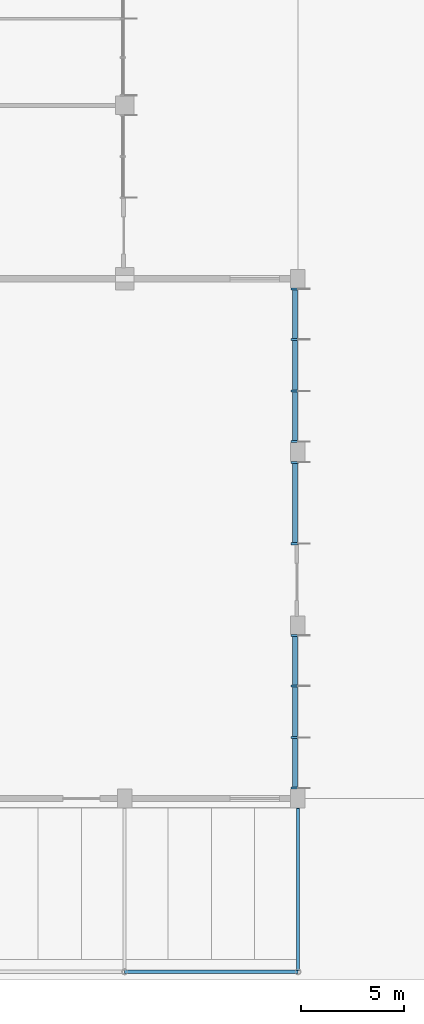
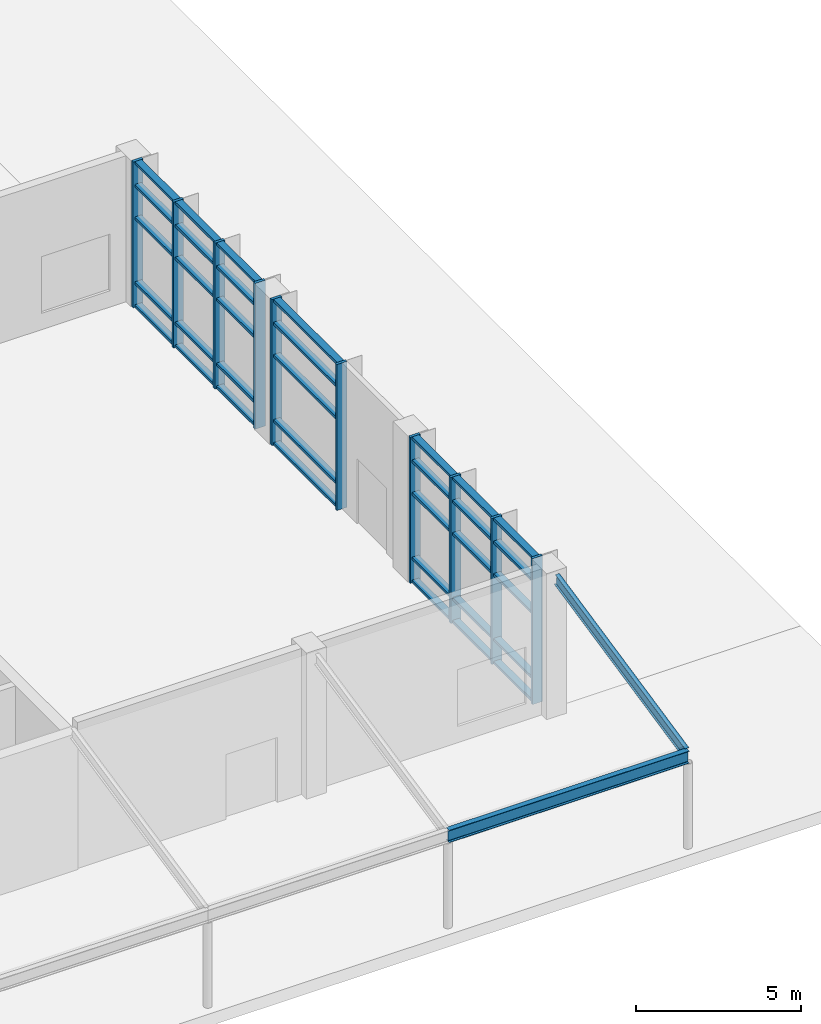
# One storey, part 24 of 76: 45 members, 2 beams, 3 elements without a shape of their own.
"""IFC4 building model written with IfcOpenShell, lengths in metres."""

from ifc_helpers import new_model, si_unit, direction, frame, origin, origin_2d, place, context, subcontext, project, spatial, rectangle, i_section, extrude, material, material_profile, profile_set, type_object, element, aggregate, save


model = new_model("IFC4")

# Units and contexts
model_context = context("Model", 3, precision=1e-05, world=origin(), true_north=direction((0.0, 1.0)))
body_context = subcontext(model_context, "Body", "Model", "MODEL_VIEW")
ifc_project = project(units=[si_unit("LENGTHUNIT", "METRE"), si_unit("AREAUNIT", "SQUARE_METRE"), si_unit("VOLUMEUNIT", "CUBIC_METRE"), si_unit("PLANEANGLEUNIT", "RADIAN"), si_unit("MASSUNIT", "GRAM", prefix="KILO")], contexts=[model_context])

# Site, building, storey
site_placement = place(None, origin())
site = spatial("IfcSite", under=ifc_project, at=site_placement, CompositionType="ELEMENT")
building_placement = place(site_placement, origin())
building = spatial("IfcBuilding", under=site, at=building_placement, Name="Hlaing Beacon Police Headquarters", CompositionType="ELEMENT")
storey_placement = place(building_placement, origin())
storey = spatial("IfcBuildingStorey", under=building, at=storey_placement, Name="L00", CompositionType="ELEMENT", Elevation=0.0)

# Beams
ifc_material_1 = material(Name="Steel ASTM A992 Grade 50", Category="steel")
ifc_material_profile_1 = material_profile(ifc_material_1, i_section(OverallWidth=0.1904296875, OverallDepth=0.457275390625, WebThickness=0.009033203125, FlangeThickness=0.014404296875, FilletRadius=0.01025390625, at=origin_2d()), Name="W18x50")
ifc_profile_set_1 = profile_set([ifc_material_profile_1], Name="Steel ASTM A992 Grade 50")
beam_type_1 = type_object("IfcBeamType", Name="Colonnade head beam W18x50", PredefinedType="BEAM", material=ifc_profile_set_1)
beam_1_placement = place(storey_placement, frame((126.0, 0.0, 3.371337890625), z_axis=(1.0, 0.0, 0.0), x_axis=(0.0, 1.0, 0.0)))
element("IfcBeam", 1, at=beam_1_placement, inside=storey, type_object=beam_type_1, Name="STR-CL-CL2-HB05", PredefinedType="BEAM", context=body_context, shape_type="SweptSolid", body=[
    extrude(i_section(OverallWidth=0.1904296875, OverallDepth=0.457275390625, WebThickness=0.009033203125, FlangeThickness=0.014404296875, FilletRadius=0.01025390625, at=origin_2d()), origin(), (0.0, 0.0, 1.0), 8.39990234375),
])
ifc_material_2 = material(Name="Steel ASTM A992 Grade 50", Category="steel")
ifc_material_profile_2 = material_profile(ifc_material_2, i_section(OverallWidth=0.140380859375, OverallDepth=0.40380859375, WebThickness=0.007080078125, FlangeThickness=0.01123046875, FilletRadius=0.01025390625, at=origin_2d()), Name="W16x31")
ifc_profile_set_2 = profile_set([ifc_material_profile_2], Name="Steel ASTM A992 Grade 50")
beam_type_2 = type_object("IfcBeamType", Name="Colonnade rafter W16x31", PredefinedType="BEAM", material=ifc_profile_set_2)
beam_2_placement = place(storey_placement, frame((134.39990234375, 0.09521484375, 3.413818359375), z_axis=(0.0, 0.977797521462, 0.209551919637), x_axis=(-1.0, 0.0, 0.0)))
element("IfcBeam", 2, at=beam_2_placement, inside=storey, type_object=beam_type_2, Name="STR-CL-CL2-RF06", PredefinedType="BEAM", context=body_context, shape_type="SweptSolid", body=[
    extrude(i_section(OverallWidth=0.140380859375, OverallDepth=0.40380859375, WebThickness=0.007080078125, FlangeThickness=0.01123046875, FilletRadius=0.01025390625, at=origin_2d()), origin(), (0.0, 0.0, 1.0), 8.033203125),
])

# Curtain wall, members
ifc_material_3 = material(Name="Aluminium frame with solar control glazing", Category="aluminium")
curtain_wall_type_1 = type_object("IfcCurtainWallType", Name="Structural glazed gable wall 7.50 x 5.40", PredefinedType="NOTDEFINED", material=ifc_material_3)
curtain_wall_1_placement = place(storey_placement, origin())
curtain_wall_1 = element("IfcCurtainWall", 3, at=curtain_wall_1_placement, inside=storey, type_object=curtain_wall_type_1, Name="ENV-CW-L00-E009", PredefinedType="NOTDEFINED")
ifc_material_4 = material(Name="Aluminium", Category="aluminium")
ifc_material_profile_3 = material_profile(ifc_material_4, rectangle(XDim=0.35009765625, YDim=0.10009765625, at=origin_2d()), Name="Mullion 100x350")
ifc_profile_set_3 = profile_set([ifc_material_profile_3], Name="Aluminium")
member_type_1 = type_object("IfcMemberType", Name="Mullion 100x350", PredefinedType="MULLION", material=ifc_profile_set_3)
member_1_placement = place(storey_placement, frame((134.25, 8.89990234375, 0.0), z_axis=(0.0, 0.0, 1.0), x_axis=(-1.0, 0.0, 0.0)))
member_1 = element("IfcMember", 4, at=member_1_placement, type_object=member_type_1, Name="CW-L00-E009 mullion 1", PredefinedType="MULLION", context=body_context, shape_type="SweptSolid", body=[
    extrude(rectangle(XDim=0.35009765625, YDim=0.10009765625, at=origin_2d()), origin(), (0.0, 0.0, 1.0), 5.39990234375),
])
member_2_placement = place(storey_placement, frame((134.25, 11.35009765625, 0.0), z_axis=(0.0, 0.0, 1.0), x_axis=(-1.0, 0.0, 0.0)))
member_2 = element("IfcMember", 5, at=member_2_placement, type_object=member_type_1, Name="CW-L00-E009 mullion 2", PredefinedType="MULLION", context=body_context, shape_type="SweptSolid", body=[
    extrude(rectangle(XDim=0.35009765625, YDim=0.10009765625, at=origin_2d()), origin(), (0.0, 0.0, 1.0), 5.39990234375),
])
member_3_placement = place(storey_placement, frame((134.25, 13.85009765625, 0.0), z_axis=(0.0, 0.0, 1.0), x_axis=(-1.0, 0.0, 0.0)))
member_3 = element("IfcMember", 6, at=member_3_placement, type_object=member_type_1, Name="CW-L00-E009 mullion 3", PredefinedType="MULLION", context=body_context, shape_type="SweptSolid", body=[
    extrude(rectangle(XDim=0.35009765625, YDim=0.10009765625, at=origin_2d()), origin(), (0.0, 0.0, 1.0), 5.39990234375),
])
member_4_placement = place(storey_placement, frame((134.25, 16.300048828125, 0.0), z_axis=(0.0, 0.0, 1.0), x_axis=(-1.0, 0.0, 0.0)))
member_4 = element("IfcMember", 7, at=member_4_placement, type_object=member_type_1, Name="CW-L00-E009 mullion 4", PredefinedType="MULLION", context=body_context, shape_type="SweptSolid", body=[
    extrude(rectangle(XDim=0.35009765625, YDim=0.10009765625, at=origin_2d()), origin(), (0.0, 0.0, 1.0), 5.39990234375),
])

ifc_material_5 = material(Name="Aluminium frame with solar control glazing", Category="aluminium")
curtain_wall_type_2 = type_object("IfcCurtainWallType", Name="Structural glazed gable wall 4.05 x 5.40", PredefinedType="NOTDEFINED", material=ifc_material_5)
curtain_wall_2_placement = place(storey_placement, origin())
curtain_wall_2 = element("IfcCurtainWall", 8, at=curtain_wall_2_placement, inside=storey, type_object=curtain_wall_type_2, Name="ENV-CW-L00-E010", PredefinedType="NOTDEFINED")
member_5_placement = place(storey_placement, frame((134.25, 20.75, 0.0), z_axis=(0.0, 0.0, 1.0), x_axis=(-1.0, 0.0, 0.0)))
member_5 = element("IfcMember", 9, at=member_5_placement, type_object=member_type_1, Name="CW-L00-E010 mullion 1", PredefinedType="MULLION", context=body_context, shape_type="SweptSolid", body=[
    extrude(rectangle(XDim=0.35009765625, YDim=0.10009765625, at=origin_2d()), origin(), (0.0, 0.0, 1.0), 5.39990234375),
])
member_6_placement = place(storey_placement, frame((134.25, 24.699951171875, 0.0), z_axis=(0.0, 0.0, 1.0), x_axis=(-1.0, 0.0, 0.0)))
member_6 = element("IfcMember", 10, at=member_6_placement, type_object=member_type_1, Name="CW-L00-E010 mullion 2", PredefinedType="MULLION", context=body_context, shape_type="SweptSolid", body=[
    extrude(rectangle(XDim=0.35009765625, YDim=0.10009765625, at=origin_2d()), origin(), (0.0, 0.0, 1.0), 5.39990234375),
])

curtain_wall_3_placement = place(storey_placement, origin())
curtain_wall_3 = element("IfcCurtainWall", 11, at=curtain_wall_3_placement, inside=storey, type_object=curtain_wall_type_1, Name="ENV-CW-L00-E011", PredefinedType="NOTDEFINED")
member_7_placement = place(storey_placement, frame((134.25, 25.699951171875, 0.0), z_axis=(0.0, 0.0, 1.0), x_axis=(-1.0, 0.0, 0.0)))
member_7 = element("IfcMember", 12, at=member_7_placement, type_object=member_type_1, Name="CW-L00-E011 mullion 1", PredefinedType="MULLION", context=body_context, shape_type="SweptSolid", body=[
    extrude(rectangle(XDim=0.35009765625, YDim=0.10009765625, at=origin_2d()), origin(), (0.0, 0.0, 1.0), 5.39990234375),
])
member_8_placement = place(storey_placement, frame((134.25, 28.14990234375, 0.0), z_axis=(0.0, 0.0, 1.0), x_axis=(-1.0, 0.0, 0.0)))
member_8 = element("IfcMember", 13, at=member_8_placement, type_object=member_type_1, Name="CW-L00-E011 mullion 2", PredefinedType="MULLION", context=body_context, shape_type="SweptSolid", body=[
    extrude(rectangle(XDim=0.35009765625, YDim=0.10009765625, at=origin_2d()), origin(), (0.0, 0.0, 1.0), 5.39990234375),
])
member_9_placement = place(storey_placement, frame((134.25, 30.64990234375, 0.0), z_axis=(0.0, 0.0, 1.0), x_axis=(-1.0, 0.0, 0.0)))
member_9 = element("IfcMember", 14, at=member_9_placement, type_object=member_type_1, Name="CW-L00-E011 mullion 3", PredefinedType="MULLION", context=body_context, shape_type="SweptSolid", body=[
    extrude(rectangle(XDim=0.35009765625, YDim=0.10009765625, at=origin_2d()), origin(), (0.0, 0.0, 1.0), 5.39990234375),
])
member_10_placement = place(storey_placement, frame((134.25, 33.10009765625, 0.0), z_axis=(0.0, 0.0, 1.0), x_axis=(-1.0, 0.0, 0.0)))
member_10 = element("IfcMember", 15, at=member_10_placement, type_object=member_type_1, Name="CW-L00-E011 mullion 4", PredefinedType="MULLION", context=body_context, shape_type="SweptSolid", body=[
    extrude(rectangle(XDim=0.35009765625, YDim=0.10009765625, at=origin_2d()), origin(), (0.0, 0.0, 1.0), 5.39990234375),
])

# Member
ifc_material_6 = material(Name="Aluminium", Category="aluminium")
ifc_material_profile_4 = material_profile(ifc_material_6, rectangle(XDim=0.239990234375, YDim=0.10009765625, at=origin_2d()), Name="Transom 240x100")
ifc_profile_set_4 = profile_set([ifc_material_profile_4], Name="Aluminium")
member_type_2 = type_object("IfcMemberType", Name="Transom 240x100", PredefinedType="USERDEFINED", material=ifc_profile_set_4)
member_11_placement = place(storey_placement, frame((134.25, 8.949951171875, 0.050048828125), z_axis=(0.0, 1.0, 0.0), x_axis=(-1.0, 0.0, 0.0)))
member_11 = element("IfcMember", 16, at=member_11_placement, type_object=member_type_2, Name="CW-L00-E009 transom 1.1", ObjectType="TRANSOM", PredefinedType="USERDEFINED", context=body_context, shape_type="SweptSolid", body=[
    extrude(rectangle(XDim=0.239990234375, YDim=0.10009765625, at=origin_2d()), origin(), (0.0, 0.0, 1.0), 2.35009765625),
])

member_12_placement = place(storey_placement, frame((134.25, 8.949951171875, 0.89990234375), z_axis=(0.0, 1.0, 0.0), x_axis=(-1.0, 0.0, 0.0)))
member_12 = element("IfcMember", 17, at=member_12_placement, type_object=member_type_2, Name="CW-L00-E009 transom 1.2", ObjectType="TRANSOM", PredefinedType="USERDEFINED", context=body_context, shape_type="SweptSolid", body=[
    extrude(rectangle(XDim=0.239990234375, YDim=0.10009765625, at=origin_2d()), origin(), (0.0, 0.0, 1.0), 2.35009765625),
])

member_13_placement = place(storey_placement, frame((134.25, 8.949951171875, 3.300048828125), z_axis=(0.0, 1.0, 0.0), x_axis=(-1.0, 0.0, 0.0)))
member_13 = element("IfcMember", 18, at=member_13_placement, type_object=member_type_2, Name="CW-L00-E009 transom 1.3", ObjectType="TRANSOM", PredefinedType="USERDEFINED", context=body_context, shape_type="SweptSolid", body=[
    extrude(rectangle(XDim=0.239990234375, YDim=0.10009765625, at=origin_2d()), origin(), (0.0, 0.0, 1.0), 2.35009765625),
])

member_14_placement = place(storey_placement, frame((134.25, 8.949951171875, 4.5), z_axis=(0.0, 1.0, 0.0), x_axis=(-1.0, 0.0, 0.0)))
member_14 = element("IfcMember", 19, at=member_14_placement, type_object=member_type_2, Name="CW-L00-E009 transom 1.4", ObjectType="TRANSOM", PredefinedType="USERDEFINED", context=body_context, shape_type="SweptSolid", body=[
    extrude(rectangle(XDim=0.239990234375, YDim=0.10009765625, at=origin_2d()), origin(), (0.0, 0.0, 1.0), 2.35009765625),
])

member_15_placement = place(storey_placement, frame((134.25, 8.949951171875, 5.35009765625), z_axis=(0.0, 1.0, 0.0), x_axis=(-1.0, 0.0, 0.0)))
member_15 = element("IfcMember", 20, at=member_15_placement, type_object=member_type_2, Name="CW-L00-E009 transom 1.5", ObjectType="TRANSOM", PredefinedType="USERDEFINED", context=body_context, shape_type="SweptSolid", body=[
    extrude(rectangle(XDim=0.239990234375, YDim=0.10009765625, at=origin_2d()), origin(), (0.0, 0.0, 1.0), 2.35009765625),
])

member_16_placement = place(storey_placement, frame((134.25, 11.39990234375, 0.050048828125), z_axis=(0.0, 1.0, 0.0), x_axis=(-1.0, 0.0, 0.0)))
member_16 = element("IfcMember", 21, at=member_16_placement, type_object=member_type_2, Name="CW-L00-E009 transom 2.1", ObjectType="TRANSOM", PredefinedType="USERDEFINED", context=body_context, shape_type="SweptSolid", body=[
    extrude(rectangle(XDim=0.239990234375, YDim=0.10009765625, at=origin_2d()), origin(), (0.0, 0.0, 1.0), 2.400146484375),
])

member_17_placement = place(storey_placement, frame((134.25, 11.39990234375, 0.89990234375), z_axis=(0.0, 1.0, 0.0), x_axis=(-1.0, 0.0, 0.0)))
member_17 = element("IfcMember", 22, at=member_17_placement, type_object=member_type_2, Name="CW-L00-E009 transom 2.2", ObjectType="TRANSOM", PredefinedType="USERDEFINED", context=body_context, shape_type="SweptSolid", body=[
    extrude(rectangle(XDim=0.239990234375, YDim=0.10009765625, at=origin_2d()), origin(), (0.0, 0.0, 1.0), 2.400146484375),
])

member_18_placement = place(storey_placement, frame((134.25, 11.39990234375, 3.300048828125), z_axis=(0.0, 1.0, 0.0), x_axis=(-1.0, 0.0, 0.0)))
member_18 = element("IfcMember", 23, at=member_18_placement, type_object=member_type_2, Name="CW-L00-E009 transom 2.3", ObjectType="TRANSOM", PredefinedType="USERDEFINED", context=body_context, shape_type="SweptSolid", body=[
    extrude(rectangle(XDim=0.239990234375, YDim=0.10009765625, at=origin_2d()), origin(), (0.0, 0.0, 1.0), 2.400146484375),
])

member_19_placement = place(storey_placement, frame((134.25, 11.39990234375, 4.5), z_axis=(0.0, 1.0, 0.0), x_axis=(-1.0, 0.0, 0.0)))
member_19 = element("IfcMember", 24, at=member_19_placement, type_object=member_type_2, Name="CW-L00-E009 transom 2.4", ObjectType="TRANSOM", PredefinedType="USERDEFINED", context=body_context, shape_type="SweptSolid", body=[
    extrude(rectangle(XDim=0.239990234375, YDim=0.10009765625, at=origin_2d()), origin(), (0.0, 0.0, 1.0), 2.400146484375),
])

member_20_placement = place(storey_placement, frame((134.25, 11.39990234375, 5.35009765625), z_axis=(0.0, 1.0, 0.0), x_axis=(-1.0, 0.0, 0.0)))
member_20 = element("IfcMember", 25, at=member_20_placement, type_object=member_type_2, Name="CW-L00-E009 transom 2.5", ObjectType="TRANSOM", PredefinedType="USERDEFINED", context=body_context, shape_type="SweptSolid", body=[
    extrude(rectangle(XDim=0.239990234375, YDim=0.10009765625, at=origin_2d()), origin(), (0.0, 0.0, 1.0), 2.400146484375),
])

member_21_placement = place(storey_placement, frame((134.25, 13.89990234375, 0.050048828125), z_axis=(0.0, 1.0, 0.0), x_axis=(-1.0, 0.0, 0.0)))
member_21 = element("IfcMember", 26, at=member_21_placement, type_object=member_type_2, Name="CW-L00-E009 transom 3.1", ObjectType="TRANSOM", PredefinedType="USERDEFINED", context=body_context, shape_type="SweptSolid", body=[
    extrude(rectangle(XDim=0.239990234375, YDim=0.10009765625, at=origin_2d()), origin(), (0.0, 0.0, 1.0), 2.35009765625),
])

member_22_placement = place(storey_placement, frame((134.25, 13.89990234375, 0.89990234375), z_axis=(0.0, 1.0, 0.0), x_axis=(-1.0, 0.0, 0.0)))
member_22 = element("IfcMember", 27, at=member_22_placement, type_object=member_type_2, Name="CW-L00-E009 transom 3.2", ObjectType="TRANSOM", PredefinedType="USERDEFINED", context=body_context, shape_type="SweptSolid", body=[
    extrude(rectangle(XDim=0.239990234375, YDim=0.10009765625, at=origin_2d()), origin(), (0.0, 0.0, 1.0), 2.35009765625),
])

member_23_placement = place(storey_placement, frame((134.25, 13.89990234375, 3.300048828125), z_axis=(0.0, 1.0, 0.0), x_axis=(-1.0, 0.0, 0.0)))
member_23 = element("IfcMember", 28, at=member_23_placement, type_object=member_type_2, Name="CW-L00-E009 transom 3.3", ObjectType="TRANSOM", PredefinedType="USERDEFINED", context=body_context, shape_type="SweptSolid", body=[
    extrude(rectangle(XDim=0.239990234375, YDim=0.10009765625, at=origin_2d()), origin(), (0.0, 0.0, 1.0), 2.35009765625),
])

member_24_placement = place(storey_placement, frame((134.25, 13.89990234375, 4.5), z_axis=(0.0, 1.0, 0.0), x_axis=(-1.0, 0.0, 0.0)))
member_24 = element("IfcMember", 29, at=member_24_placement, type_object=member_type_2, Name="CW-L00-E009 transom 3.4", ObjectType="TRANSOM", PredefinedType="USERDEFINED", context=body_context, shape_type="SweptSolid", body=[
    extrude(rectangle(XDim=0.239990234375, YDim=0.10009765625, at=origin_2d()), origin(), (0.0, 0.0, 1.0), 2.35009765625),
])

member_25_placement = place(storey_placement, frame((134.25, 13.89990234375, 5.35009765625), z_axis=(0.0, 1.0, 0.0), x_axis=(-1.0, 0.0, 0.0)))
member_25 = element("IfcMember", 30, at=member_25_placement, type_object=member_type_2, Name="CW-L00-E009 transom 3.5", ObjectType="TRANSOM", PredefinedType="USERDEFINED", context=body_context, shape_type="SweptSolid", body=[
    extrude(rectangle(XDim=0.239990234375, YDim=0.10009765625, at=origin_2d()), origin(), (0.0, 0.0, 1.0), 2.35009765625),
])

aggregate(curtain_wall_1, [member_1, member_2, member_3, member_4, member_11, member_12, member_13, member_14, member_15, member_16, member_17, member_18, member_19, member_20, member_21, member_22, member_23, member_24, member_25])

member_26_placement = place(storey_placement, frame((134.25, 20.800048828125, 0.050048828125), z_axis=(0.0, 1.0, 0.0), x_axis=(-1.0, 0.0, 0.0)))
member_26 = element("IfcMember", 31, at=member_26_placement, type_object=member_type_2, Name="CW-L00-E010 transom 1.1", ObjectType="TRANSOM", PredefinedType="USERDEFINED", context=body_context, shape_type="SweptSolid", body=[
    extrude(rectangle(XDim=0.239990234375, YDim=0.10009765625, at=origin_2d()), origin(), (0.0, 0.0, 1.0), 3.849853515625),
])

member_27_placement = place(storey_placement, frame((134.25, 20.800048828125, 0.89990234375), z_axis=(0.0, 1.0, 0.0), x_axis=(-1.0, 0.0, 0.0)))
member_27 = element("IfcMember", 32, at=member_27_placement, type_object=member_type_2, Name="CW-L00-E010 transom 1.2", ObjectType="TRANSOM", PredefinedType="USERDEFINED", context=body_context, shape_type="SweptSolid", body=[
    extrude(rectangle(XDim=0.239990234375, YDim=0.10009765625, at=origin_2d()), origin(), (0.0, 0.0, 1.0), 3.849853515625),
])

member_28_placement = place(storey_placement, frame((134.25, 20.800048828125, 3.300048828125), z_axis=(0.0, 1.0, 0.0), x_axis=(-1.0, 0.0, 0.0)))
member_28 = element("IfcMember", 33, at=member_28_placement, type_object=member_type_2, Name="CW-L00-E010 transom 1.3", ObjectType="TRANSOM", PredefinedType="USERDEFINED", context=body_context, shape_type="SweptSolid", body=[
    extrude(rectangle(XDim=0.239990234375, YDim=0.10009765625, at=origin_2d()), origin(), (0.0, 0.0, 1.0), 3.849853515625),
])

member_29_placement = place(storey_placement, frame((134.25, 20.800048828125, 4.5), z_axis=(0.0, 1.0, 0.0), x_axis=(-1.0, 0.0, 0.0)))
member_29 = element("IfcMember", 34, at=member_29_placement, type_object=member_type_2, Name="CW-L00-E010 transom 1.4", ObjectType="TRANSOM", PredefinedType="USERDEFINED", context=body_context, shape_type="SweptSolid", body=[
    extrude(rectangle(XDim=0.239990234375, YDim=0.10009765625, at=origin_2d()), origin(), (0.0, 0.0, 1.0), 3.849853515625),
])

member_30_placement = place(storey_placement, frame((134.25, 20.800048828125, 5.35009765625), z_axis=(0.0, 1.0, 0.0), x_axis=(-1.0, 0.0, 0.0)))
member_30 = element("IfcMember", 35, at=member_30_placement, type_object=member_type_2, Name="CW-L00-E010 transom 1.5", ObjectType="TRANSOM", PredefinedType="USERDEFINED", context=body_context, shape_type="SweptSolid", body=[
    extrude(rectangle(XDim=0.239990234375, YDim=0.10009765625, at=origin_2d()), origin(), (0.0, 0.0, 1.0), 3.849853515625),
])

aggregate(curtain_wall_2, [member_5, member_6, member_26, member_27, member_28, member_29, member_30])

member_31_placement = place(storey_placement, frame((134.25, 25.75, 0.050048828125), z_axis=(0.0, 1.0, 0.0), x_axis=(-1.0, 0.0, 0.0)))
member_31 = element("IfcMember", 36, at=member_31_placement, type_object=member_type_2, Name="CW-L00-E011 transom 1.1", ObjectType="TRANSOM", PredefinedType="USERDEFINED", context=body_context, shape_type="SweptSolid", body=[
    extrude(rectangle(XDim=0.239990234375, YDim=0.10009765625, at=origin_2d()), origin(), (0.0, 0.0, 1.0), 2.35009765625),
])

member_32_placement = place(storey_placement, frame((134.25, 25.75, 0.89990234375), z_axis=(0.0, 1.0, 0.0), x_axis=(-1.0, 0.0, 0.0)))
member_32 = element("IfcMember", 37, at=member_32_placement, type_object=member_type_2, Name="CW-L00-E011 transom 1.2", ObjectType="TRANSOM", PredefinedType="USERDEFINED", context=body_context, shape_type="SweptSolid", body=[
    extrude(rectangle(XDim=0.239990234375, YDim=0.10009765625, at=origin_2d()), origin(), (0.0, 0.0, 1.0), 2.35009765625),
])

member_33_placement = place(storey_placement, frame((134.25, 25.75, 3.300048828125), z_axis=(0.0, 1.0, 0.0), x_axis=(-1.0, 0.0, 0.0)))
member_33 = element("IfcMember", 38, at=member_33_placement, type_object=member_type_2, Name="CW-L00-E011 transom 1.3", ObjectType="TRANSOM", PredefinedType="USERDEFINED", context=body_context, shape_type="SweptSolid", body=[
    extrude(rectangle(XDim=0.239990234375, YDim=0.10009765625, at=origin_2d()), origin(), (0.0, 0.0, 1.0), 2.35009765625),
])

member_34_placement = place(storey_placement, frame((134.25, 25.75, 4.5), z_axis=(0.0, 1.0, 0.0), x_axis=(-1.0, 0.0, 0.0)))
member_34 = element("IfcMember", 39, at=member_34_placement, type_object=member_type_2, Name="CW-L00-E011 transom 1.4", ObjectType="TRANSOM", PredefinedType="USERDEFINED", context=body_context, shape_type="SweptSolid", body=[
    extrude(rectangle(XDim=0.239990234375, YDim=0.10009765625, at=origin_2d()), origin(), (0.0, 0.0, 1.0), 2.35009765625),
])

member_35_placement = place(storey_placement, frame((134.25, 25.75, 5.35009765625), z_axis=(0.0, 1.0, 0.0), x_axis=(-1.0, 0.0, 0.0)))
member_35 = element("IfcMember", 40, at=member_35_placement, type_object=member_type_2, Name="CW-L00-E011 transom 1.5", ObjectType="TRANSOM", PredefinedType="USERDEFINED", context=body_context, shape_type="SweptSolid", body=[
    extrude(rectangle(XDim=0.239990234375, YDim=0.10009765625, at=origin_2d()), origin(), (0.0, 0.0, 1.0), 2.35009765625),
])

member_36_placement = place(storey_placement, frame((134.25, 28.199951171875, 0.050048828125), z_axis=(0.0, 1.0, 0.0), x_axis=(-1.0, 0.0, 0.0)))
member_36 = element("IfcMember", 41, at=member_36_placement, type_object=member_type_2, Name="CW-L00-E011 transom 2.1", ObjectType="TRANSOM", PredefinedType="USERDEFINED", context=body_context, shape_type="SweptSolid", body=[
    extrude(rectangle(XDim=0.239990234375, YDim=0.10009765625, at=origin_2d()), origin(), (0.0, 0.0, 1.0), 2.400146484375),
])

member_37_placement = place(storey_placement, frame((134.25, 28.199951171875, 0.89990234375), z_axis=(0.0, 1.0, 0.0), x_axis=(-1.0, 0.0, 0.0)))
member_37 = element("IfcMember", 42, at=member_37_placement, type_object=member_type_2, Name="CW-L00-E011 transom 2.2", ObjectType="TRANSOM", PredefinedType="USERDEFINED", context=body_context, shape_type="SweptSolid", body=[
    extrude(rectangle(XDim=0.239990234375, YDim=0.10009765625, at=origin_2d()), origin(), (0.0, 0.0, 1.0), 2.400146484375),
])

member_38_placement = place(storey_placement, frame((134.25, 28.199951171875, 3.300048828125), z_axis=(0.0, 1.0, 0.0), x_axis=(-1.0, 0.0, 0.0)))
member_38 = element("IfcMember", 43, at=member_38_placement, type_object=member_type_2, Name="CW-L00-E011 transom 2.3", ObjectType="TRANSOM", PredefinedType="USERDEFINED", context=body_context, shape_type="SweptSolid", body=[
    extrude(rectangle(XDim=0.239990234375, YDim=0.10009765625, at=origin_2d()), origin(), (0.0, 0.0, 1.0), 2.400146484375),
])

member_39_placement = place(storey_placement, frame((134.25, 28.199951171875, 4.5), z_axis=(0.0, 1.0, 0.0), x_axis=(-1.0, 0.0, 0.0)))
member_39 = element("IfcMember", 44, at=member_39_placement, type_object=member_type_2, Name="CW-L00-E011 transom 2.4", ObjectType="TRANSOM", PredefinedType="USERDEFINED", context=body_context, shape_type="SweptSolid", body=[
    extrude(rectangle(XDim=0.239990234375, YDim=0.10009765625, at=origin_2d()), origin(), (0.0, 0.0, 1.0), 2.400146484375),
])

member_40_placement = place(storey_placement, frame((134.25, 28.199951171875, 5.35009765625), z_axis=(0.0, 1.0, 0.0), x_axis=(-1.0, 0.0, 0.0)))
member_40 = element("IfcMember", 45, at=member_40_placement, type_object=member_type_2, Name="CW-L00-E011 transom 2.5", ObjectType="TRANSOM", PredefinedType="USERDEFINED", context=body_context, shape_type="SweptSolid", body=[
    extrude(rectangle(XDim=0.239990234375, YDim=0.10009765625, at=origin_2d()), origin(), (0.0, 0.0, 1.0), 2.400146484375),
])

member_41_placement = place(storey_placement, frame((134.25, 30.699951171875, 0.050048828125), z_axis=(0.0, 1.0, 0.0), x_axis=(-1.0, 0.0, 0.0)))
member_41 = element("IfcMember", 46, at=member_41_placement, type_object=member_type_2, Name="CW-L00-E011 transom 3.1", ObjectType="TRANSOM", PredefinedType="USERDEFINED", context=body_context, shape_type="SweptSolid", body=[
    extrude(rectangle(XDim=0.239990234375, YDim=0.10009765625, at=origin_2d()), origin(), (0.0, 0.0, 1.0), 2.35009765625),
])

member_42_placement = place(storey_placement, frame((134.25, 30.699951171875, 0.89990234375), z_axis=(0.0, 1.0, 0.0), x_axis=(-1.0, 0.0, 0.0)))
member_42 = element("IfcMember", 47, at=member_42_placement, type_object=member_type_2, Name="CW-L00-E011 transom 3.2", ObjectType="TRANSOM", PredefinedType="USERDEFINED", context=body_context, shape_type="SweptSolid", body=[
    extrude(rectangle(XDim=0.239990234375, YDim=0.10009765625, at=origin_2d()), origin(), (0.0, 0.0, 1.0), 2.35009765625),
])

member_43_placement = place(storey_placement, frame((134.25, 30.699951171875, 3.300048828125), z_axis=(0.0, 1.0, 0.0), x_axis=(-1.0, 0.0, 0.0)))
member_43 = element("IfcMember", 48, at=member_43_placement, type_object=member_type_2, Name="CW-L00-E011 transom 3.3", ObjectType="TRANSOM", PredefinedType="USERDEFINED", context=body_context, shape_type="SweptSolid", body=[
    extrude(rectangle(XDim=0.239990234375, YDim=0.10009765625, at=origin_2d()), origin(), (0.0, 0.0, 1.0), 2.35009765625),
])

member_44_placement = place(storey_placement, frame((134.25, 30.699951171875, 4.5), z_axis=(0.0, 1.0, 0.0), x_axis=(-1.0, 0.0, 0.0)))
member_44 = element("IfcMember", 49, at=member_44_placement, type_object=member_type_2, Name="CW-L00-E011 transom 3.4", ObjectType="TRANSOM", PredefinedType="USERDEFINED", context=body_context, shape_type="SweptSolid", body=[
    extrude(rectangle(XDim=0.239990234375, YDim=0.10009765625, at=origin_2d()), origin(), (0.0, 0.0, 1.0), 2.35009765625),
])

member_45_placement = place(storey_placement, frame((134.25, 30.699951171875, 5.35009765625), z_axis=(0.0, 1.0, 0.0), x_axis=(-1.0, 0.0, 0.0)))
member_45 = element("IfcMember", 50, at=member_45_placement, type_object=member_type_2, Name="CW-L00-E011 transom 3.5", ObjectType="TRANSOM", PredefinedType="USERDEFINED", context=body_context, shape_type="SweptSolid", body=[
    extrude(rectangle(XDim=0.239990234375, YDim=0.10009765625, at=origin_2d()), origin(), (0.0, 0.0, 1.0), 2.35009765625),
])

aggregate(curtain_wall_3, [member_7, member_8, member_9, member_10, member_31, member_32, member_33, member_34, member_35, member_36, member_37, member_38, member_39, member_40, member_41, member_42, member_43, member_44, member_45])

save(model, "model.ifc")
